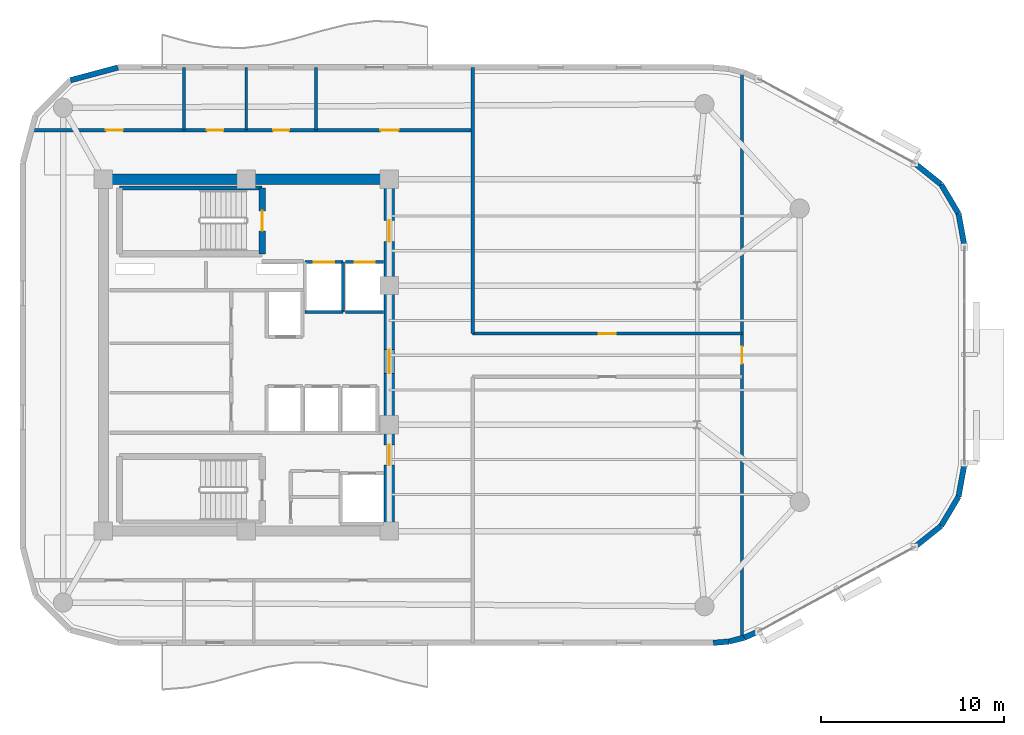
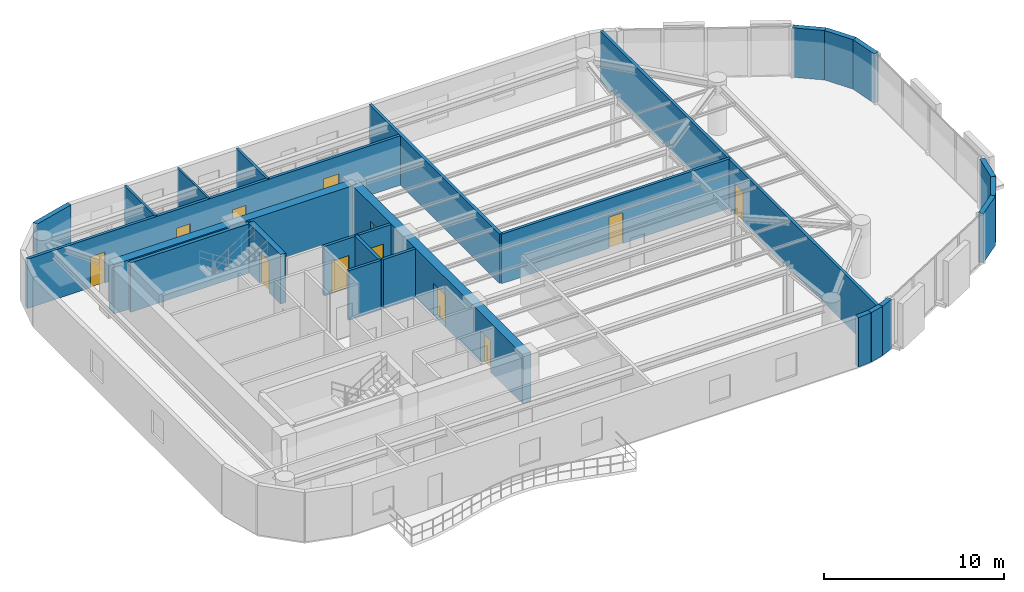
# One storey, part 10 of 13: 26 walls, 12 doors, 12 openings.
"""IFC4 building model written with IfcOpenShell, lengths in metres."""

from ifc_helpers import new_model, si_unit, direction, frame, frame_2d, origin, place, context, subcontext, project, spatial, rectangle, extrude, material, layer, layer_set, type_object, element, fill, save


model = new_model("IFC4")

# Units and contexts
model_context = context("Model", 3, precision=1e-05, world=origin(), true_north=direction((0.0, 1.0)))
body_context = subcontext(model_context, "Body", "Model", "MODEL_VIEW")
ifc_project = project(units=[si_unit("LENGTHUNIT", "METRE"), si_unit("AREAUNIT", "SQUARE_METRE"), si_unit("VOLUMEUNIT", "CUBIC_METRE"), si_unit("PLANEANGLEUNIT", "RADIAN"), si_unit("MASSUNIT", "GRAM", prefix="KILO")], contexts=[model_context])

# Site, building, storey
site_placement = place(None, origin())
site = spatial("IfcSite", under=ifc_project, at=site_placement, CompositionType="ELEMENT")
building_placement = place(site_placement, origin())
building = spatial("IfcBuilding", under=site, at=building_placement, Name="An Khanh Terracotta Commons", CompositionType="ELEMENT")
storey_placement = place(building_placement, frame((0.0, 0.0, 244.5)))
storey = spatial("IfcBuildingStorey", under=building, at=storey_placement, Name="L64", CompositionType="ELEMENT", Elevation=244.5)

# Wall
ifc_material_1 = material(Name="Concrete C50/60", Category="concrete")
ifc_layer_1 = layer(ifc_material_1, 0.550048828125, Name="Concrete C50/60")
ifc_layer_set_1 = layer_set([ifc_layer_1], Name="Concrete C50/60")
wall_type_1 = type_object("IfcWallType", Name="WALL-CORE-550", PredefinedType="SHEAR", material=ifc_layer_set_1)
wall_1_placement = place(storey_placement, frame((21.60009765625, 33.60009765625, 0.0), z_axis=(0.0, 0.0, 1.0), x_axis=(1.0, 0.0, 0.0)))
element("IfcWall", 1, at=wall_1_placement, inside=storey, type_object=wall_type_1, Name="L64 Core Wall CWALL-L64-N", PredefinedType="SHEAR", context=body_context, shape_type="SweptSolid", body=[
    extrude(rectangle(XDim=15.599853515625, YDim=0.550048828125, at=frame_2d((7.7998046875, 0.0))), origin(), (0.0, 0.0, 1.0), 3.360107421875),
])

# Wall, openings, doors
wall_2_placement = place(storey_placement, frame((37.199951171875, 14.39990234375, 0.0), z_axis=(0.0, 0.0, 1.0), x_axis=(0.0, 1.0, 0.0)))
wall_2 = element("IfcWall", 2, at=wall_2_placement, inside=storey, type_object=wall_type_1, Name="L64 Core Wall CWALL-L64-E", PredefinedType="SHEAR", context=body_context, shape_type="SweptSolid", body=[
    extrude(rectangle(XDim=19.2001953125, YDim=0.550048828125, at=frame_2d((9.60009765625, 0.0))), origin(), (0.0, 0.0, 1.0), 3.360107421875),
])
opening_1_placement = place(wall_2_placement, frame((15.800048828125, 0.0, 0.0)))
opening_1 = element("IfcOpeningElement", 3, at=opening_1_placement, cuts=wall_2, Name="Opening D-FFL", PredefinedType="OPENING", context=body_context, shape_type="SweptSolid", body=[
    extrude(rectangle(XDim=1.14990234375, YDim=2.14990234375, at=frame_2d((0.574951171875, 1.074951171875))), frame((0.0, 0.284912109375, 0.0), z_axis=(0.0, -1.0, 0.0), x_axis=(1.0, 0.0, 0.0)), (0.0, 0.0, 1.0), 0.570068359375),
])
opening_2_placement = place(wall_2_placement, frame((3.60009765625, 0.0, 0.0)))
opening_2 = element("IfcOpeningElement", 4, at=opening_2_placement, cuts=wall_2, Name="Opening D-ST", PredefinedType="OPENING", context=body_context, shape_type="SweptSolid", body=[
    extrude(rectangle(XDim=1.10009765625, YDim=2.14990234375, at=frame_2d((0.550048828125, 1.074951171875))), frame((0.0, 0.284912109375, 0.0), z_axis=(0.0, -1.0, 0.0), x_axis=(1.0, 0.0, 0.0)), (0.0, 0.0, 1.0), 0.570068359375),
])
opening_3_placement = place(wall_2_placement, frame((8.60009765625, 0.0, 0.0)))
opening_3 = element("IfcOpeningElement", 5, at=opening_3_placement, cuts=wall_2, Name="Opening D-COR", PredefinedType="OPENING", context=body_context, shape_type="SweptSolid", body=[
    extrude(rectangle(XDim=1.300048828125, YDim=2.199951171875, at=frame_2d((0.64990234375, 1.10009765625))), frame((0.0, 0.284912109375, 0.0), z_axis=(0.0, -1.0, 0.0), x_axis=(1.0, 0.0, 0.0)), (0.0, 0.0, 1.0), 0.570068359375),
])
ifc_material_2 = material(Name="Fire-Rated Glazed Steel Double Door", Category="steel")
door_type_1 = type_object("IfcDoorType", Name="DOOR-CORR-1300", OperationType="NOTDEFINED", PredefinedType="DOOR", material=ifc_material_2)
door_1_placement = place(opening_3_placement, origin())
door_1 = element("IfcDoor", 6, at=door_1_placement, inside=storey, type_object=door_type_1, Name="L64 Passenger Lift Lobby Double Door", OperationType="DOUBLE_DOOR_SINGLE_SWING", OverallHeight=2.199951171875, OverallWidth=1.300048828125, PredefinedType="DOOR", context=body_context, shape_type="SweptSolid", body=[
    extrude(rectangle(XDim=1.300048828125, YDim=2.199951171875, at=frame_2d((0.64990234375, 1.10009765625))), frame((0.0, 0.02490234375, 0.0), z_axis=(0.0, -1.0, 0.0), x_axis=(1.0, 0.0, 0.0)), (0.0, 0.0, 1.0), 0.050048828125),
])
fill(opening_3, door_1)
ifc_material_3 = material(Name="Fire-Rated Steel Leaf and Vision Panel", Category="steel")
door_type_2 = type_object("IfcDoorType", Name="DOOR-FFL-1150", OperationType="NOTDEFINED", PredefinedType="DOOR", material=ifc_material_3)
door_2_placement = place(opening_1_placement, origin())
door_2 = element("IfcDoor", 7, at=door_2_placement, inside=storey, type_object=door_type_2, Name="L64 Firefighting Lift Lobby Fire Door", OperationType="SINGLE_SWING_RIGHT", OverallHeight=2.14990234375, OverallWidth=1.14990234375, PredefinedType="DOOR", context=body_context, shape_type="SweptSolid", body=[
    extrude(rectangle(XDim=1.14990234375, YDim=2.14990234375, at=frame_2d((0.574951171875, 1.074951171875))), frame((0.0, 0.02490234375, 0.0), z_axis=(0.0, -1.0, 0.0), x_axis=(1.0, 0.0, 0.0)), (0.0, 0.0, 1.0), 0.050048828125),
])
fill(opening_1, door_2)
ifc_material_4 = material(Name="Fire-Rated Steel Leaf and Frame", Category="steel")
door_type_3 = type_object("IfcDoorType", Name="DOOR-STAIR-1100", OperationType="NOTDEFINED", PredefinedType="DOOR", material=ifc_material_4)
door_3_placement = place(opening_2_placement, origin())
door_3 = element("IfcDoor", 8, at=door_3_placement, inside=storey, type_object=door_type_3, Name="L64 South Stair Lobby Fire Door", OperationType="SINGLE_SWING_LEFT", OverallHeight=2.14990234375, OverallWidth=1.10009765625, PredefinedType="DOOR", context=body_context, shape_type="SweptSolid", body=[
    extrude(rectangle(XDim=1.10009765625, YDim=2.14990234375, at=frame_2d((0.550048828125, 1.074951171875))), frame((0.0, 0.02490234375, 0.0), z_axis=(0.0, -1.0, 0.0), x_axis=(1.0, 0.0, 0.0)), (0.0, 0.0, 1.0), 0.050048828125),
])
fill(opening_2, door_3)

# Wall, opening, door
ifc_material_5 = material(Name="Fire-Rated Gypsum Board on Steel Stud", Category="steel")
ifc_layer_2 = layer(ifc_material_5, 0.179931640625, Name="Fire-Rated Gypsum Board on Steel Stud")
ifc_layer_set_2 = layer_set([ifc_layer_2], Name="Fire-Rated Gypsum Board on Steel Stud")
wall_type_2 = type_object("IfcWallType", Name="WALL-CORR-180", PredefinedType="PARTITIONING", material=ifc_layer_set_2)
wall_3_placement = place(storey_placement, frame((32.60009765625, 29.080078125, 0.0), z_axis=(0.0, 0.0, 1.0), x_axis=(1.0, 0.0, 0.0)))
wall_3 = element("IfcWall", 9, at=wall_3_placement, inside=storey, type_object=wall_type_2, Name="L64 Core Wall LSH-L64-FFL-01-N", PredefinedType="PARTITIONING", context=body_context, shape_type="SweptSolid", body=[
    extrude(rectangle(XDim=2.079833984375, YDim=0.179931640625, at=frame_2d((1.0400390625, 0.0))), origin(), (0.0, 0.0, 1.0), 3.360107421875),
])
opening_4_placement = place(wall_3_placement, frame((0.489990234375, 0.0, 0.0)))
opening_4 = element("IfcOpeningElement", 10, at=opening_4_placement, cuts=wall_3, Name="Opening LD-FFL-01-L64", PredefinedType="OPENING", context=body_context, shape_type="SweptSolid", body=[
    extrude(rectangle(XDim=1.10009765625, YDim=2.199951171875, at=frame_2d((0.550048828125, 1.10009765625))), frame((0.0, 0.099853515625, 0.0), z_axis=(0.0, -1.0, 0.0), x_axis=(1.0, 0.0, 0.0)), (0.0, 0.0, 1.0), 0.199951171875),
])
ifc_material_6 = material(Name="Brushed Stainless Steel Fire Landing Door", Category="steel")
door_type_4 = type_object("IfcDoorType", Name="DOOR-LD-FFL-1100", OperationType="NOTDEFINED", PredefinedType="DOOR", material=ifc_material_6)
door_4_placement = place(opening_4_placement, origin())
door_4 = element("IfcDoor", 11, at=door_4_placement, inside=storey, type_object=door_type_4, Name="L64 Lift FFL-01 Sliding Landing Door", OperationType="DOUBLE_DOOR_SLIDING", OverallHeight=2.199951171875, OverallWidth=1.10009765625, PredefinedType="DOOR", context=body_context, shape_type="SweptSolid", body=[
    extrude(rectangle(XDim=1.10009765625, YDim=2.199951171875, at=frame_2d((0.550048828125, 1.10009765625))), frame((0.0, 0.02490234375, 0.0), z_axis=(0.0, -1.0, 0.0), x_axis=(1.0, 0.0, 0.0)), (0.0, 0.0, 1.0), 0.050048828125),
])
fill(opening_4, door_4)

# Walls
wall_4_placement = place(storey_placement, frame((34.679931640625, 26.35009765625, 0.0), z_axis=(0.0, 0.0, 1.0), x_axis=(-1.0, 0.0, 0.0)))
element("IfcWall", 12, at=wall_4_placement, inside=storey, type_object=wall_type_2, Name="L64 Core Wall LSH-L64-FFL-01-S", PredefinedType="PARTITIONING", context=body_context, shape_type="SweptSolid", body=[
    extrude(rectangle(XDim=2.079833984375, YDim=0.179931640625, at=frame_2d((1.0400390625, 0.0))), origin(), (0.0, 0.0, 1.0), 3.360107421875),
])
wall_5_placement = place(storey_placement, frame((34.679931640625, 26.35009765625, 0.0), z_axis=(0.0, 0.0, 1.0), x_axis=(0.0, 1.0, 0.0)))
element("IfcWall", 13, at=wall_5_placement, inside=storey, type_object=wall_type_2, Name="L64 Core Wall LSH-L64-FFL-01-E", PredefinedType="PARTITIONING", context=body_context, shape_type="SweptSolid", body=[
    extrude(rectangle(XDim=2.72998046875, YDim=0.179931640625, at=frame_2d((1.364990234375, 0.0))), origin(), (0.0, 0.0, 1.0), 3.360107421875),
])

# Wall, opening, door
wall_6_placement = place(storey_placement, frame((34.820068359375, 29.080078125, 0.0), z_axis=(0.0, 0.0, 1.0), x_axis=(1.0, 0.0, 0.0)))
wall_6 = element("IfcWall", 14, at=wall_6_placement, inside=storey, type_object=wall_type_2, Name="L64 Core Wall LSH-L64-FFL-02-N", PredefinedType="PARTITIONING", context=body_context, shape_type="SweptSolid", body=[
    extrude(rectangle(XDim=2.079833984375, YDim=0.179931640625, at=frame_2d((1.0400390625, 0.0))), origin(), (0.0, 0.0, 1.0), 3.360107421875),
])
opening_5_placement = place(wall_6_placement, frame((0.489990234375, 0.0, 0.0)))
opening_5 = element("IfcOpeningElement", 15, at=opening_5_placement, cuts=wall_6, Name="Opening LD-FFL-02-L64", PredefinedType="OPENING", context=body_context, shape_type="SweptSolid", body=[
    extrude(rectangle(XDim=1.10009765625, YDim=2.199951171875, at=frame_2d((0.550048828125, 1.10009765625))), frame((0.0, 0.099853515625, 0.0), z_axis=(0.0, -1.0, 0.0), x_axis=(1.0, 0.0, 0.0)), (0.0, 0.0, 1.0), 0.199951171875),
])
door_5_placement = place(opening_5_placement, origin())
door_5 = element("IfcDoor", 16, at=door_5_placement, inside=storey, type_object=door_type_4, Name="L64 Lift FFL-02 Sliding Landing Door", OperationType="DOUBLE_DOOR_SLIDING", OverallHeight=2.199951171875, OverallWidth=1.10009765625, PredefinedType="DOOR", context=body_context, shape_type="SweptSolid", body=[
    extrude(rectangle(XDim=1.10009765625, YDim=2.199951171875, at=frame_2d((0.550048828125, 1.10009765625))), frame((0.0, 0.02490234375, 0.0), z_axis=(0.0, -1.0, 0.0), x_axis=(1.0, 0.0, 0.0)), (0.0, 0.0, 1.0), 0.050048828125),
])
fill(opening_5, door_5)

# Wall
wall_7_placement = place(storey_placement, frame((36.89990234375, 26.35009765625, 0.0), z_axis=(0.0, 0.0, 1.0), x_axis=(-1.0, 0.0, 0.0)))
element("IfcWall", 17, at=wall_7_placement, inside=storey, type_object=wall_type_2, Name="L64 Core Wall LSH-L64-FFL-02-S", PredefinedType="PARTITIONING", context=body_context, shape_type="SweptSolid", body=[
    extrude(rectangle(XDim=2.079833984375, YDim=0.179931640625, at=frame_2d((1.0400390625, 0.0))), origin(), (0.0, 0.0, 1.0), 3.360107421875),
])

# Wall, opening, door
wall_8_placement = place(storey_placement, frame((41.75, 25.179931640625, 0.0), z_axis=(0.0, 0.0, 1.0), x_axis=(1.0, 0.0, 0.0)))
wall_8 = element("IfcWall", 18, at=wall_8_placement, inside=storey, type_object=wall_type_2, Name="L64 Interior Partition IW-L64-E003", PredefinedType="PARTITIONING", context=body_context, shape_type="SweptSolid", body=[
    extrude(rectangle(XDim=14.699951171875, YDim=0.179931640625, at=frame_2d((7.35009765625, 0.0))), origin(), (0.0, 0.0, 1.0), 3.360107421875),
])
opening_6_placement = place(wall_8_placement, frame((6.889892578125, 0.0, 0.0)))
opening_6 = element("IfcOpeningElement", 19, at=opening_6_placement, cuts=wall_8, Name="Opening D-RM", PredefinedType="OPENING", context=body_context, shape_type="SweptSolid", body=[
    extrude(rectangle(XDim=0.919921875, YDim=2.10009765625, at=frame_2d((0.4599609375, 1.050048828125))), frame((0.0, 0.099853515625, 0.0), z_axis=(0.0, -1.0, 0.0), x_axis=(1.0, 0.0, 0.0)), (0.0, 0.0, 1.0), 0.199951171875),
])
ifc_material_7 = material(Name="Engineered Hardwood Timber Leaf", Category="wood")
door_type_5 = type_object("IfcDoorType", Name="DOOR-INT-920", OperationType="NOTDEFINED", PredefinedType="DOOR", material=ifc_material_7)
door_6_placement = place(opening_6_placement, origin())
door_6 = element("IfcDoor", 20, at=door_6_placement, inside=storey, type_object=door_type_5, Name="L64 SPN1 Collaborative Study Lounge Door", OperationType="SINGLE_SWING_RIGHT", OverallHeight=2.10009765625, OverallWidth=0.919921875, PredefinedType="DOOR", context=body_context, shape_type="SweptSolid", body=[
    extrude(rectangle(XDim=0.919921875, YDim=2.10009765625, at=frame_2d((0.4599609375, 1.050048828125))), frame((0.0, 0.02490234375, 0.0), z_axis=(0.0, -1.0, 0.0), x_axis=(1.0, 0.0, 0.0)), (0.0, 0.0, 1.0), 0.050048828125),
])
fill(opening_6, door_6)

# Wall, openings, doors
wall_9_placement = place(storey_placement, frame((17.677001953125, 36.280029296875, 0.0), z_axis=(0.0, 0.0, 1.0), x_axis=(1.0, 0.0, 0.0)))
wall_9 = element("IfcWall", 21, at=wall_9_placement, inside=storey, type_object=wall_type_2, Name="L64 Interior Partition IW-L64-E004", PredefinedType="PARTITIONING", context=body_context, shape_type="SweptSolid", body=[
    extrude(rectangle(XDim=24.072998046875, YDim=0.179931640625, at=frame_2d((12.03662109375, 0.0))), origin(), (0.0, 0.0, 1.0), 3.360107421875),
])
opening_7_placement = place(wall_9_placement, frame((9.572998046875, 0.0, 0.0)))
opening_7 = element("IfcOpeningElement", 22, at=opening_7_placement, cuts=wall_9, Name="Opening D-WC", PredefinedType="OPENING", context=body_context, shape_type="SweptSolid", body=[
    extrude(rectangle(XDim=0.89990234375, YDim=2.10009765625, at=frame_2d((0.449951171875, 1.050048828125))), frame((0.0, 0.099853515625, 0.0), z_axis=(0.0, -1.0, 0.0), x_axis=(1.0, 0.0, 0.0)), (0.0, 0.0, 1.0), 0.199951171875),
])
opening_8_placement = place(wall_9_placement, frame((13.193115234375, 0.0, 0.0)))
opening_8 = element("IfcOpeningElement", 23, at=opening_8_placement, cuts=wall_9, Name="Opening D-ENS", PredefinedType="OPENING", context=body_context, shape_type="SweptSolid", body=[
    extrude(rectangle(XDim=0.860107421875, YDim=2.10009765625, at=frame_2d((0.43017578125, 1.050048828125))), frame((0.0, 0.099853515625, 0.0), z_axis=(0.0, -1.0, 0.0), x_axis=(1.0, 0.0, 0.0)), (0.0, 0.0, 1.0), 0.199951171875),
])
opening_9_placement = place(wall_9_placement, frame((4.06298828125, 0.0, 0.0)))
opening_9 = element("IfcOpeningElement", 24, at=opening_9_placement, cuts=wall_9, Name="Opening D-RM", PredefinedType="OPENING", context=body_context, shape_type="SweptSolid", body=[
    extrude(rectangle(XDim=0.919921875, YDim=2.10009765625, at=frame_2d((0.4599609375, 1.050048828125))), frame((0.0, 0.099853515625, 0.0), z_axis=(0.0, -1.0, 0.0), x_axis=(1.0, 0.0, 0.0)), (0.0, 0.0, 1.0), 0.199951171875),
])
opening_10_placement = place(wall_9_placement, frame((19.0380859375, 0.0, 0.0)))
opening_10 = element("IfcOpeningElement", 25, at=opening_10_placement, cuts=wall_9, Name="Opening D-UN", PredefinedType="OPENING", context=body_context, shape_type="SweptSolid", body=[
    extrude(rectangle(XDim=1.0, YDim=2.14990234375, at=frame_2d((0.5, 1.074951171875))), frame((0.0, 0.099853515625, 0.0), z_axis=(0.0, -1.0, 0.0), x_axis=(1.0, 0.0, 0.0)), (0.0, 0.0, 1.0), 0.199951171875),
])
ifc_material_8 = material(Name="Moisture-Resistant Hardwood Timber Leaf", Category="wood")
door_type_6 = type_object("IfcDoorType", Name="DOOR-BATH-860", OperationType="NOTDEFINED", PredefinedType="DOOR", material=ifc_material_8)
door_7_placement = place(opening_8_placement, origin())
door_7 = element("IfcDoor", 26, at=door_7_placement, inside=storey, type_object=door_type_6, Name="L64 SHW Resident Shared Shower and Washroom Door", OperationType="SINGLE_SWING_RIGHT", OverallHeight=2.10009765625, OverallWidth=0.860107421875, PredefinedType="DOOR", context=body_context, shape_type="SweptSolid", body=[
    extrude(rectangle(XDim=0.860107421875, YDim=2.10009765625, at=frame_2d((0.43017578125, 1.050048828125))), frame((0.0, 0.02490234375, 0.0), z_axis=(0.0, -1.0, 0.0), x_axis=(1.0, 0.0, 0.0)), (0.0, 0.0, 1.0), 0.050048828125),
])
fill(opening_8, door_7)
door_8_placement = place(opening_9_placement, origin())
door_8 = element("IfcDoor", 27, at=door_8_placement, inside=storey, type_object=door_type_5, Name="L64 NW1 Student Reading Library Door", OperationType="SINGLE_SWING_LEFT", OverallHeight=2.10009765625, OverallWidth=0.919921875, PredefinedType="DOOR", context=body_context, shape_type="SweptSolid", body=[
    extrude(rectangle(XDim=0.919921875, YDim=2.10009765625, at=frame_2d((0.4599609375, 1.050048828125))), frame((0.0, 0.02490234375, 0.0), z_axis=(0.0, -1.0, 0.0), x_axis=(1.0, 0.0, 0.0)), (0.0, 0.0, 1.0), 0.050048828125),
])
fill(opening_9, door_8)
ifc_material_9 = material(Name="Solid-Core Hardwood Acoustic Fire Door", Category="wood")
door_type_7 = type_object("IfcDoorType", Name="DOOR-UNIT-1000", OperationType="NOTDEFINED", PredefinedType="DOOR", material=ifc_material_9)
door_9_placement = place(opening_10_placement, origin())
door_9 = element("IfcDoor", 28, at=door_9_placement, inside=storey, type_object=door_type_7, Name="L64 NWE Yoga Wellness Studio Door", OperationType="SINGLE_SWING_RIGHT", OverallHeight=2.14990234375, OverallWidth=1.0, PredefinedType="DOOR", context=body_context, shape_type="SweptSolid", body=[
    extrude(rectangle(XDim=1.0, YDim=2.14990234375, at=frame_2d((0.5, 1.074951171875))), frame((0.0, 0.02490234375, 0.0), z_axis=(0.0, -1.0, 0.0), x_axis=(1.0, 0.0, 0.0)), (0.0, 0.0, 1.0), 0.050048828125),
])
fill(opening_10, door_9)
ifc_material_10 = material(Name="Laminate Moisture-Resistant Timber Leaf", Category="wood")
door_type_8 = type_object("IfcDoorType", Name="DOOR-WC-900", OperationType="NOTDEFINED", PredefinedType="DOOR", material=ifc_material_10)
door_10_placement = place(opening_7_placement, origin())
door_10 = element("IfcDoor", 29, at=door_10_placement, inside=storey, type_object=door_type_8, Name="L64 AWC Accessible WC Door", OperationType="SINGLE_SWING_LEFT", OverallHeight=2.10009765625, OverallWidth=0.89990234375, PredefinedType="DOOR", context=body_context, shape_type="SweptSolid", body=[
    extrude(rectangle(XDim=0.89990234375, YDim=2.10009765625, at=frame_2d((0.449951171875, 1.050048828125))), frame((0.0, 0.02490234375, 0.0), z_axis=(0.0, -1.0, 0.0), x_axis=(1.0, 0.0, 0.0)), (0.0, 0.0, 1.0), 0.050048828125),
])
fill(opening_7, door_10)

# Wall
wall_10_placement = place(storey_placement, frame((41.75, 25.179931640625, 0.0), z_axis=(0.0, 0.0, 1.0), x_axis=(0.0, 1.0, 0.0)))
element("IfcWall", 30, at=wall_10_placement, inside=storey, type_object=wall_type_2, Name="L64 Interior Partition IW-L64-E011", PredefinedType="PARTITIONING", context=body_context, shape_type="SweptSolid", body=[
    extrude(rectangle(XDim=14.52001953125, YDim=0.179931640625, at=frame_2d((7.260009765625, 0.0))), origin(), (0.0, 0.0, 1.0), 3.360107421875),
])

# Wall, opening, door
wall_11_placement = place(storey_placement, frame((56.449951171875, 8.550048828125, 0.0), z_axis=(0.0, 0.0, 1.0), x_axis=(0.0, 1.0, 0.0)))
wall_11 = element("IfcWall", 31, at=wall_11_placement, inside=storey, type_object=wall_type_2, Name="L64 Interior Partition IW-L64-E012", PredefinedType="PARTITIONING", context=body_context, shape_type="SweptSolid", body=[
    extrude(rectangle(XDim=30.89990234375, YDim=0.179931640625, at=frame_2d((15.449951171875, 0.0))), origin(), (0.0, 0.0, 1.0), 3.360107421875),
])
opening_11_placement = place(wall_11_placement, frame((14.989990234375, 0.0, 0.0)))
opening_11 = element("IfcOpeningElement", 32, at=opening_11_placement, cuts=wall_11, Name="Opening D-RM", PredefinedType="OPENING", context=body_context, shape_type="SweptSolid", body=[
    extrude(rectangle(XDim=0.919921875, YDim=2.10009765625, at=frame_2d((0.4599609375, 1.050048828125))), frame((0.0, 0.099853515625, 0.0), z_axis=(0.0, -1.0, 0.0), x_axis=(1.0, 0.0, 0.0)), (0.0, 0.0, 1.0), 0.199951171875),
])
door_11_placement = place(opening_11_placement, origin())
door_11 = element("IfcDoor", 33, at=door_11_placement, inside=storey, type_object=door_type_5, Name="L64 GHALL Riverfront Reference Library Door", OperationType="SINGLE_SWING_RIGHT", OverallHeight=2.10009765625, OverallWidth=0.919921875, PredefinedType="DOOR", context=body_context, shape_type="SweptSolid", body=[
    extrude(rectangle(XDim=0.919921875, YDim=2.10009765625, at=frame_2d((0.4599609375, 1.050048828125))), frame((0.0, 0.02490234375, 0.0), z_axis=(0.0, -1.0, 0.0), x_axis=(1.0, 0.0, 0.0)), (0.0, 0.0, 1.0), 0.050048828125),
])
fill(opening_11, door_11)

# Walls
ifc_material_11 = material(Name="Precast concrete C40/50", Category="concrete")
ifc_layer_3 = layer(ifc_material_11, 0.300048828125, Name="Precast concrete C40/50")
ifc_layer_set_3 = layer_set([ifc_layer_3], Name="Precast concrete C40/50")
wall_type_3 = type_object("IfcWallType", Name="WALL-EXT-300", PredefinedType="SOLIDWALL", material=ifc_layer_set_3)
wall_12_placement = place(storey_placement, frame((54.885009765625, 8.300048828125, 0.0), z_axis=(0.0, 0.0, 1.0), x_axis=(0.996565355958, 0.082809971041, 0.0)))
element("IfcWall", 34, at=wall_12_placement, inside=storey, type_object=wall_type_3, Name="L64 Insulated Terracotta Exterior Wall 5", PredefinedType="SOLIDWALL", context=body_context, shape_type="SweptSolid", body=[
    extrude(rectangle(XDim=0.85791015625, YDim=0.300048828125, at=frame_2d((0.428955078125, 0.0))), origin(), (0.0, 0.0, 1.0), 3.360107421875),
])
wall_13_placement = place(storey_placement, frame((55.739990234375, 8.37109375, 0.0), z_axis=(0.0, 0.0, 1.0), x_axis=(0.969536346338, 0.244947490555, 0.0)))
element("IfcWall", 35, at=wall_13_placement, inside=storey, type_object=wall_type_3, Name="L64 Insulated Terracotta Exterior Wall 6", PredefinedType="SOLIDWALL", context=body_context, shape_type="SweptSolid", body=[
    extrude(rectangle(XDim=0.857177734375, YDim=0.300048828125, at=frame_2d((0.4287109375, 0.0))), origin(), (0.0, 0.0, 1.0), 3.360107421875),
])
wall_14_placement = place(storey_placement, frame((56.571044921875, 8.5810546875, 0.0), z_axis=(0.0, 0.0, 1.0), x_axis=(0.916085473636, 0.400983048261, 0.0)))
element("IfcWall", 36, at=wall_14_placement, inside=storey, type_object=wall_type_3, Name="L64 Insulated Terracotta Exterior Wall 7", PredefinedType="SOLIDWALL", context=body_context, shape_type="SweptSolid", body=[
    extrude(rectangle(XDim=0.85791015625, YDim=0.300048828125, at=frame_2d((0.428955078125, 0.0))), origin(), (0.0, 0.0, 1.0), 3.360107421875),
])
wall_15_placement = place(storey_placement, frame((65.8720703125, 13.52587890625, 0.0), z_axis=(0.0, 0.0, 1.0), x_axis=(0.780920189257, 0.624630817372, 0.0)))
element("IfcWall", 37, at=wall_15_placement, inside=storey, type_object=wall_type_3, Name="L64 Insulated Terracotta Exterior Wall 9", PredefinedType="SOLIDWALL", context=body_context, shape_type="SweptSolid", body=[
    extrude(rectangle(XDim=1.854248046875, YDim=0.300048828125, at=frame_2d((0.92724609375, 0.0))), origin(), (0.0, 0.0, 1.0), 3.360107421875),
])
wall_16_placement = place(storey_placement, frame((67.320068359375, 14.68408203125, 0.0), z_axis=(0.0, 0.0, 1.0), x_axis=(0.512072018927, 0.858942516955, 0.0)))
element("IfcWall", 38, at=wall_16_placement, inside=storey, type_object=wall_type_3, Name="L64 Insulated Terracotta Exterior Wall 10", PredefinedType="SOLIDWALL", context=body_context, shape_type="SweptSolid", body=[
    extrude(rectangle(XDim=1.853271484375, YDim=0.300048828125, at=frame_2d((0.9267578125, 0.0))), origin(), (0.0, 0.0, 1.0), 3.360107421875),
])
for number, where, z_axis, x_axis, name in (
    (39, (68.26904296875, 16.27587890625, 0.0), (0.0, 0.0, 1.0), (0.178468469252, 0.983945631365, 0.0), "L64 Insulated Terracotta Exterior Wall 11"),
    (40, (68.60009765625, 29.89892578125, 0.0), (0.0, 0.0, 1.0), (-0.178468469252, 0.983945631365, 0.0), "L64 Insulated Terracotta Exterior Wall 13"),
):
    element("IfcWall", number, at=place(storey_placement, frame(where, z_axis=z_axis, x_axis=x_axis)), inside=storey, type_object=wall_type_3, Name=name, PredefinedType="SOLIDWALL", context=body_context, shape_type="SweptSolid", body=[
        extrude(rectangle(XDim=1.85498046875, YDim=0.300048828125, at=frame_2d((0.927490234375, 0.0))), origin(), (0.0, 0.0, 1.0), 3.360107421875),
    ])
wall_17_placement = place(storey_placement, frame((68.26904296875, 31.72412109375, 0.0), z_axis=(0.0, 0.0, 1.0), x_axis=(-0.512072018927, 0.858942516955, 0.0)))
element("IfcWall", 41, at=wall_17_placement, inside=storey, type_object=wall_type_3, Name="L64 Insulated Terracotta Exterior Wall 14", PredefinedType="SOLIDWALL", context=body_context, shape_type="SweptSolid", body=[
    extrude(rectangle(XDim=1.853271484375, YDim=0.300048828125, at=frame_2d((0.9267578125, 0.0))), origin(), (0.0, 0.0, 1.0), 3.360107421875),
])
wall_18_placement = place(storey_placement, frame((67.320068359375, 33.31591796875, 0.0), z_axis=(0.0, 0.0, 1.0), x_axis=(-0.780920189257, 0.624630817372, 0.0)))
element("IfcWall", 42, at=wall_18_placement, inside=storey, type_object=wall_type_3, Name="L64 Insulated Terracotta Exterior Wall 15", PredefinedType="SOLIDWALL", context=body_context, shape_type="SweptSolid", body=[
    extrude(rectangle(XDim=1.854248046875, YDim=0.300048828125, at=frame_2d((0.92724609375, 0.0))), origin(), (0.0, 0.0, 1.0), 3.360107421875),
])
wall_19_placement = place(storey_placement, frame((22.39990234375, 39.699951171875, 0.0), z_axis=(0.0, 0.0, 1.0), x_axis=(-0.965889330541, -0.258955210695, 0.0)))
element("IfcWall", 43, at=wall_19_placement, inside=storey, type_object=wall_type_3, Name="L64 Insulated Terracotta Exterior Wall 21", PredefinedType="SOLIDWALL", context=body_context, shape_type="SweptSolid", body=[
    extrude(rectangle(XDim=2.691650390625, YDim=0.300048828125, at=frame_2d((1.345703125, 0.0))), origin(), (0.0, 0.0, 1.0), 3.360107421875),
])
ifc_material_12 = material(Name="Acoustic Gypsum Board Partition")
ifc_layer_4 = layer(ifc_material_12, 0.14990234375, Name="Acoustic Gypsum Board Partition")
ifc_layer_set_4 = layer_set([ifc_layer_4], Name="Acoustic Gypsum Board Partition")
wall_type_4 = type_object("IfcWallType", Name="WALL-PART-150", PredefinedType="PARTITIONING", material=ifc_layer_set_4)
for number, where, z_axis, x_axis, name in (
    (44, (26.0, 36.280029296875, 0.0), (0.0, 0.0, 1.0), (0.0, 1.0, 0.0), "L64 Interior Partition IW-L64-E006"),
    (45, (33.199951171875, 36.280029296875, 0.0), (0.0, 0.0, 1.0), (0.0, 1.0, 0.0), "L64 Interior Partition IW-L64-E009"),
):
    element("IfcWall", number, at=place(storey_placement, frame(where, z_axis=z_axis, x_axis=x_axis)), inside=storey, type_object=wall_type_4, Name=name, PredefinedType="PARTITIONING", context=body_context, shape_type="SweptSolid", body=[
        extrude(rectangle(XDim=3.419921875, YDim=0.14990234375, at=frame_2d((1.7099609375, 0.0))), origin(), (0.0, 0.0, 1.0), 3.360107421875),
    ])
ifc_material_13 = material(Name="Acoustic Double-Stud Gypsum and Mineral Wool")
ifc_layer_5 = layer(ifc_material_13, 0.219970703125, Name="Acoustic Double-Stud Gypsum and Mineral Wool")
ifc_layer_set_5 = layer_set([ifc_layer_5], Name="Acoustic Double-Stud Gypsum and Mineral Wool")
wall_type_5 = type_object("IfcWallType", Name="WALL-PARTY-220", PredefinedType="PARTITIONING", material=ifc_layer_set_5)
wall_20_placement = place(storey_placement, frame((22.47998046875, 33.110107421875, 0.0), z_axis=(0.0, 0.0, 1.0), x_axis=(1.0, 0.0, 0.0)))
element("IfcWall", 46, at=wall_20_placement, inside=storey, type_object=wall_type_5, Name="L64 Core Wall STW-L64-N-N", PredefinedType="PARTITIONING", context=body_context, shape_type="SweptSolid", body=[
    extrude(rectangle(XDim=7.7900390625, YDim=0.219970703125, at=frame_2d((3.89501953125, 0.0))), origin(), (0.0, 0.0, 1.0), 3.360107421875),
])

# Wall, opening, door
ifc_layer_6 = layer(ifc_material_1, 0.35009765625, Name="Concrete C50/60")
ifc_layer_set_6 = layer_set([ifc_layer_6], Name="Concrete C50/60")
wall_type_6 = type_object("IfcWallType", Name="WALL-SHAFT-350", PredefinedType="SOLIDWALL", material=ifc_layer_set_6)
wall_21_placement = place(storey_placement, frame((30.27001953125, 29.530029296875, 0.0), z_axis=(0.0, 0.0, 1.0), x_axis=(0.0, 1.0, 0.0)))
wall_21 = element("IfcWall", 47, at=wall_21_placement, inside=storey, type_object=wall_type_6, Name="L64 Core Wall STW-L64-N-E", PredefinedType="SOLIDWALL", context=body_context, shape_type="SweptSolid", body=[
    extrude(rectangle(XDim=3.580078125, YDim=0.35009765625, at=frame_2d((1.7900390625, 0.0))), origin(), (0.0, 0.0, 1.0), 3.360107421875),
])
opening_12_placement = place(wall_21_placement, frame((1.25, 0.0, 0.0)))
opening_12 = element("IfcOpeningElement", 48, at=opening_12_placement, cuts=wall_21, Name="Opening D-ST", PredefinedType="OPENING", context=body_context, shape_type="SweptSolid", body=[
    extrude(rectangle(XDim=1.10009765625, YDim=2.14990234375, at=frame_2d((0.550048828125, 1.074951171875))), frame((0.0, 0.18505859375, 0.0), z_axis=(0.0, -1.0, 0.0), x_axis=(1.0, 0.0, 0.0)), (0.0, 0.0, 1.0), 0.3701171875),
])
door_12_placement = place(opening_12_placement, origin())
door_12 = element("IfcDoor", 49, at=door_12_placement, inside=storey, type_object=door_type_3, Name="L64 Stair ST-01 Fire Door", OperationType="SINGLE_SWING_RIGHT", OverallHeight=2.14990234375, OverallWidth=1.10009765625, PredefinedType="DOOR", context=body_context, shape_type="SweptSolid", body=[
    extrude(rectangle(XDim=1.10009765625, YDim=2.14990234375, at=frame_2d((0.550048828125, 1.074951171875))), frame((0.0, 0.02490234375, 0.0), z_axis=(0.0, -1.0, 0.0), x_axis=(1.0, 0.0, 0.0)), (0.0, 0.0, 1.0), 0.050048828125),
])
fill(opening_12, door_12)

# Wall
ifc_material_14 = material(Name="Moisture-Resistant Cement Board Partition")
ifc_layer_7 = layer(ifc_material_14, 0.1201171875, Name="Moisture-Resistant Cement Board Partition")
ifc_layer_set_7 = layer_set([ifc_layer_7], Name="Moisture-Resistant Cement Board Partition")
wall_type_7 = type_object("IfcWallType", Name="WALL-WET-120", PredefinedType="PARTITIONING", material=ifc_layer_set_7)
wall_22_placement = place(storey_placement, frame((29.39990234375, 36.280029296875, 0.0), z_axis=(0.0, 0.0, 1.0), x_axis=(0.0, 1.0, 0.0)))
element("IfcWall", 50, at=wall_22_placement, inside=storey, type_object=wall_type_7, Name="L64 Interior Partition IW-L64-E007", PredefinedType="PARTITIONING", context=body_context, shape_type="SweptSolid", body=[
    extrude(rectangle(XDim=3.419921875, YDim=0.1201171875, at=frame_2d((1.7099609375, 0.0))), origin(), (0.0, 0.0, 1.0), 3.360107421875),
])

save(model, "model.ifc")
